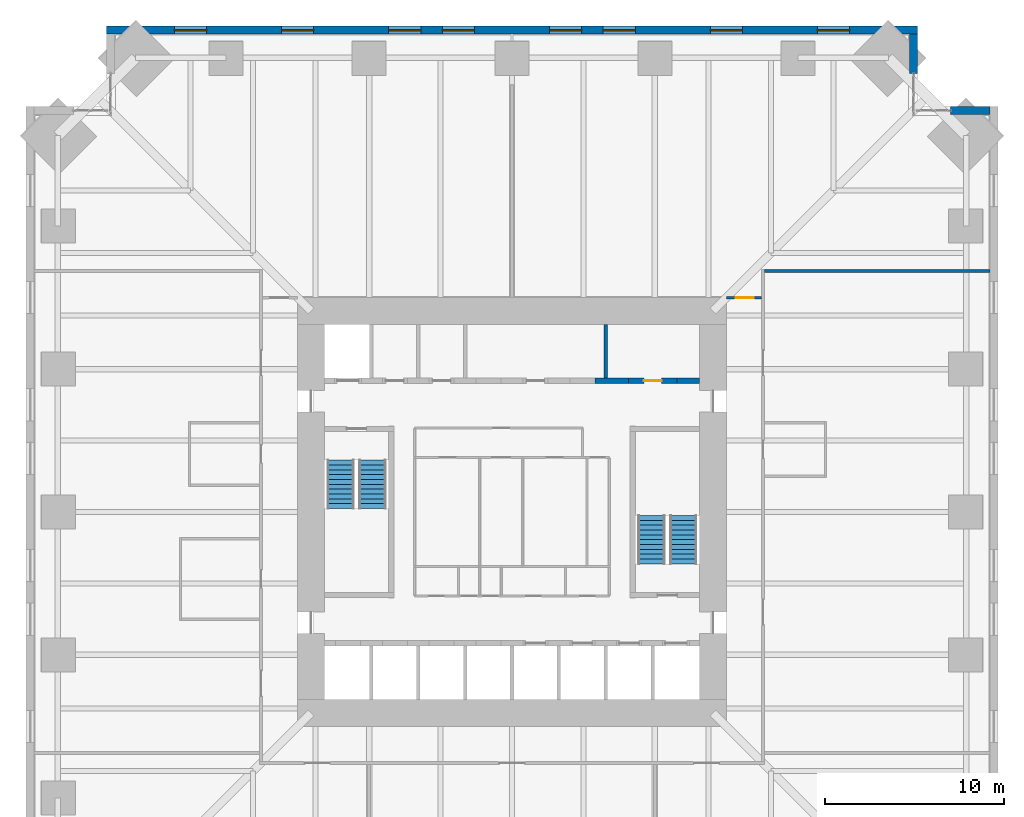
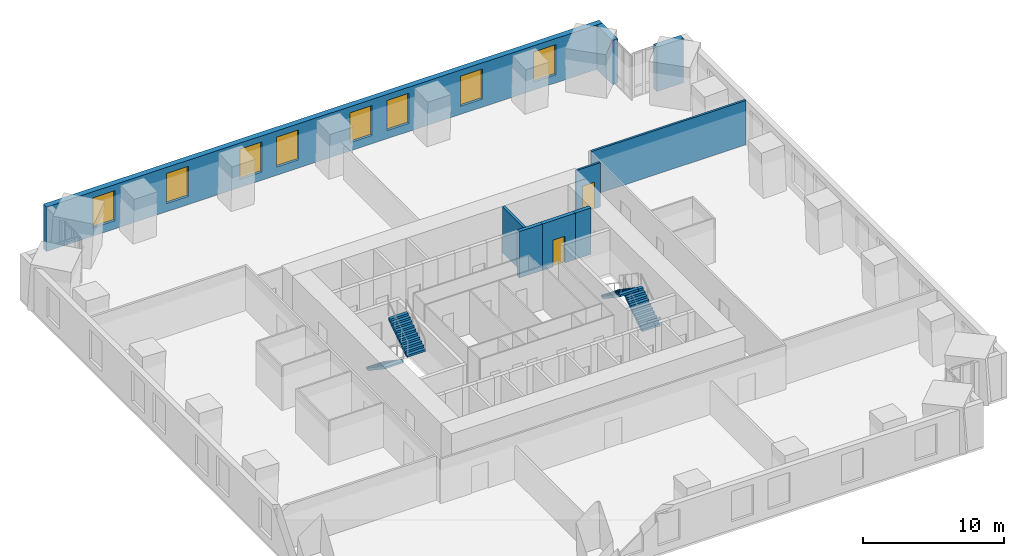
# One storey, part 15 of 16: 9 walls, 8 windows, 4 stair flights, 2 doors, 10 openings, 2 elements without a shape of their own.
"""IFC4 building model written with IfcOpenShell, lengths in metres."""

from ifc_helpers import new_model, si_unit, direction, frame, frame_2d, origin, place, context, subcontext, project, spatial, polyline, rectangle, outline, extrude, material, layer, layer_set, type_object, element, fill, aggregate, save


model = new_model("IFC4")

# Units and contexts
model_context = context("Model", 3, precision=1e-05, world=origin(), true_north=direction((0.0, 1.0)))
body_context = subcontext(model_context, "Body", "Model", "MODEL_VIEW")
ifc_project = project(units=[si_unit("LENGTHUNIT", "METRE"), si_unit("AREAUNIT", "SQUARE_METRE"), si_unit("VOLUMEUNIT", "CUBIC_METRE"), si_unit("PLANEANGLEUNIT", "RADIAN"), si_unit("MASSUNIT", "GRAM", prefix="KILO")], contexts=[model_context])

# Site, building, storey
site_placement = place(None, origin())
site = spatial("IfcSite", under=ifc_project, at=site_placement, CompositionType="ELEMENT")
building_placement = place(site_placement, origin())
building = spatial("IfcBuilding", under=site, at=building_placement, Name="Peilmerk Tower", CompositionType="ELEMENT")
storey_placement = place(building_placement, frame((0.0, 0.0, 135.800048828125)))
storey = spatial("IfcBuildingStorey", under=building, at=storey_placement, Name="L27", CompositionType="ELEMENT", Elevation=135.800048828125)

# Wall, openings, windows
ifc_material_1 = material(Name="Precast concrete C45/55, board-marked finish", Category="concrete")
ifc_layer_1 = layer(ifc_material_1, 0.449951171875)
ifc_layer_set_1 = layer_set([ifc_layer_1], Name="Precast concrete C45/55, board-marked finish")
wall_type_1 = type_object("IfcWallType", Name="EW1 450 precast concrete facade wall, board-marked", PredefinedType="SOLIDWALL", material=ifc_layer_set_1)
wall_1_placement = place(storey_placement, frame((22.699951171875, 26.97509765625, 0.0), z_axis=(0.0, 0.0, 1.0), x_axis=(-1.0, 0.0, 0.0)))
wall_1 = element("IfcWall", 1, at=wall_1_placement, inside=storey, type_object=wall_type_1, Name="Facade wall N L27", PredefinedType="SOLIDWALL", context=body_context, shape_type="SweptSolid", body=[
    extrude(rectangle(XDim=45.39990234375, YDim=0.449951171875, at=frame_2d((22.699951171875, 0.0))), origin(), (0.0, 0.0, 1.0), 3.829833984375),
])
opening_1_placement = place(wall_1_placement, frame((3.800048828125, 0.0, 0.699951171875)))
opening_1 = element("IfcOpeningElement", 2, at=opening_1_placement, cuts=wall_1, Name="Opening W1", PredefinedType="OPENING", context=body_context, shape_type="SweptSolid", body=[
    extrude(rectangle(XDim=1.800048828125, YDim=2.60009765625, at=frame_2d((0.89990234375, 1.300048828125))), frame((0.0, 0.23486328125, 0.0), z_axis=(0.0, -1.0, 0.0), x_axis=(1.0, 0.0, 0.0)), (0.0, 0.0, 1.0), 0.469970703125),
])
opening_2_placement = place(wall_1_placement, frame((9.800048828125, 0.0, 0.699951171875)))
opening_2 = element("IfcOpeningElement", 3, at=opening_2_placement, cuts=wall_1, Name="Opening W1", PredefinedType="OPENING", context=body_context, shape_type="SweptSolid", body=[
    extrude(rectangle(XDim=1.800048828125, YDim=2.60009765625, at=frame_2d((0.89990234375, 1.300048828125))), frame((0.0, 0.23486328125, 0.0), z_axis=(0.0, -1.0, 0.0), x_axis=(1.0, 0.0, 0.0)), (0.0, 0.0, 1.0), 0.469970703125),
])
opening_3_placement = place(wall_1_placement, frame((15.800048828125, 0.0, 0.699951171875)))
opening_3 = element("IfcOpeningElement", 4, at=opening_3_placement, cuts=wall_1, Name="Opening W1", PredefinedType="OPENING", context=body_context, shape_type="SweptSolid", body=[
    extrude(rectangle(XDim=1.800048828125, YDim=2.60009765625, at=frame_2d((0.89990234375, 1.300048828125))), frame((0.0, 0.23486328125, 0.0), z_axis=(0.0, -1.0, 0.0), x_axis=(1.0, 0.0, 0.0)), (0.0, 0.0, 1.0), 0.469970703125),
])
opening_4_placement = place(wall_1_placement, frame((18.800048828125, 0.0, 0.699951171875)))
opening_4 = element("IfcOpeningElement", 5, at=opening_4_placement, cuts=wall_1, Name="Opening W1", PredefinedType="OPENING", context=body_context, shape_type="SweptSolid", body=[
    extrude(rectangle(XDim=1.800048828125, YDim=2.60009765625, at=frame_2d((0.89990234375, 1.300048828125))), frame((0.0, 0.23486328125, 0.0), z_axis=(0.0, -1.0, 0.0), x_axis=(1.0, 0.0, 0.0)), (0.0, 0.0, 1.0), 0.469970703125),
])
opening_5_placement = place(wall_1_placement, frame((24.800048828125, 0.0, 0.699951171875)))
opening_5 = element("IfcOpeningElement", 6, at=opening_5_placement, cuts=wall_1, Name="Opening W1", PredefinedType="OPENING", context=body_context, shape_type="SweptSolid", body=[
    extrude(rectangle(XDim=1.800048828125, YDim=2.60009765625, at=frame_2d((0.89990234375, 1.300048828125))), frame((0.0, 0.23486328125, 0.0), z_axis=(0.0, -1.0, 0.0), x_axis=(1.0, 0.0, 0.0)), (0.0, 0.0, 1.0), 0.469970703125),
])
opening_6_placement = place(wall_1_placement, frame((27.800048828125, 0.0, 0.699951171875)))
opening_6 = element("IfcOpeningElement", 7, at=opening_6_placement, cuts=wall_1, Name="Opening W1", PredefinedType="OPENING", context=body_context, shape_type="SweptSolid", body=[
    extrude(rectangle(XDim=1.800048828125, YDim=2.60009765625, at=frame_2d((0.89990234375, 1.300048828125))), frame((0.0, 0.23486328125, 0.0), z_axis=(0.0, -1.0, 0.0), x_axis=(1.0, 0.0, 0.0)), (0.0, 0.0, 1.0), 0.469970703125),
])
opening_7_placement = place(wall_1_placement, frame((33.800048828125, 0.0, 0.699951171875)))
opening_7 = element("IfcOpeningElement", 8, at=opening_7_placement, cuts=wall_1, Name="Opening W1", PredefinedType="OPENING", context=body_context, shape_type="SweptSolid", body=[
    extrude(rectangle(XDim=1.800048828125, YDim=2.60009765625, at=frame_2d((0.89990234375, 1.300048828125))), frame((0.0, 0.23486328125, 0.0), z_axis=(0.0, -1.0, 0.0), x_axis=(1.0, 0.0, 0.0)), (0.0, 0.0, 1.0), 0.469970703125),
])
opening_8_placement = place(wall_1_placement, frame((39.800048828125, 0.0, 0.699951171875)))
opening_8 = element("IfcOpeningElement", 9, at=opening_8_placement, cuts=wall_1, Name="Opening W1", PredefinedType="OPENING", context=body_context, shape_type="SweptSolid", body=[
    extrude(rectangle(XDim=1.800048828125, YDim=2.60009765625, at=frame_2d((0.89990234375, 1.300048828125))), frame((0.0, 0.23486328125, 0.0), z_axis=(0.0, -1.0, 0.0), x_axis=(1.0, 0.0, 0.0)), (0.0, 0.0, 1.0), 0.469970703125),
])
ifc_material_2 = material(Name="Aluminium frame, clear double glazing", Category="aluminium")
window_type = type_object("IfcWindowType", Name="W1 1800x2600 office window", PartitioningType="SINGLE_PANEL", PredefinedType="WINDOW", material=ifc_material_2)
window_1_placement = place(opening_1_placement, origin())
window_1 = element("IfcWindow", 10, at=window_1_placement, inside=storey, type_object=window_type, Name="Window W1 L27", OverallHeight=2.60009765625, OverallWidth=1.800048828125, PartitioningType="SINGLE_PANEL", PredefinedType="WINDOW", context=body_context, shape_type="SweptSolid", body=[
    extrude(rectangle(XDim=1.800048828125, YDim=2.60009765625, at=frame_2d((0.89990234375, 1.300048828125))), frame((0.0, 0.030029296875, 0.0), z_axis=(0.0, -1.0, 0.0), x_axis=(1.0, 0.0, 0.0)), (0.0, 0.0, 1.0), 0.06005859375),
])
fill(opening_1, window_1)
window_2_placement = place(opening_2_placement, origin())
window_2 = element("IfcWindow", 11, at=window_2_placement, inside=storey, type_object=window_type, Name="Window W1 L27", OverallHeight=2.60009765625, OverallWidth=1.800048828125, PartitioningType="SINGLE_PANEL", PredefinedType="WINDOW", context=body_context, shape_type="SweptSolid", body=[
    extrude(rectangle(XDim=1.800048828125, YDim=2.60009765625, at=frame_2d((0.89990234375, 1.300048828125))), frame((0.0, 0.030029296875, 0.0), z_axis=(0.0, -1.0, 0.0), x_axis=(1.0, 0.0, 0.0)), (0.0, 0.0, 1.0), 0.06005859375),
])
fill(opening_2, window_2)
window_3_placement = place(opening_3_placement, origin())
window_3 = element("IfcWindow", 12, at=window_3_placement, inside=storey, type_object=window_type, Name="Window W1 L27", OverallHeight=2.60009765625, OverallWidth=1.800048828125, PartitioningType="SINGLE_PANEL", PredefinedType="WINDOW", context=body_context, shape_type="SweptSolid", body=[
    extrude(rectangle(XDim=1.800048828125, YDim=2.60009765625, at=frame_2d((0.89990234375, 1.300048828125))), frame((0.0, 0.030029296875, 0.0), z_axis=(0.0, -1.0, 0.0), x_axis=(1.0, 0.0, 0.0)), (0.0, 0.0, 1.0), 0.06005859375),
])
fill(opening_3, window_3)
window_4_placement = place(opening_4_placement, origin())
window_4 = element("IfcWindow", 13, at=window_4_placement, inside=storey, type_object=window_type, Name="Window W1 L27", OverallHeight=2.60009765625, OverallWidth=1.800048828125, PartitioningType="SINGLE_PANEL", PredefinedType="WINDOW", context=body_context, shape_type="SweptSolid", body=[
    extrude(rectangle(XDim=1.800048828125, YDim=2.60009765625, at=frame_2d((0.89990234375, 1.300048828125))), frame((0.0, 0.030029296875, 0.0), z_axis=(0.0, -1.0, 0.0), x_axis=(1.0, 0.0, 0.0)), (0.0, 0.0, 1.0), 0.06005859375),
])
fill(opening_4, window_4)
window_5_placement = place(opening_5_placement, origin())
window_5 = element("IfcWindow", 14, at=window_5_placement, inside=storey, type_object=window_type, Name="Window W1 L27", OverallHeight=2.60009765625, OverallWidth=1.800048828125, PartitioningType="SINGLE_PANEL", PredefinedType="WINDOW", context=body_context, shape_type="SweptSolid", body=[
    extrude(rectangle(XDim=1.800048828125, YDim=2.60009765625, at=frame_2d((0.89990234375, 1.300048828125))), frame((0.0, 0.030029296875, 0.0), z_axis=(0.0, -1.0, 0.0), x_axis=(1.0, 0.0, 0.0)), (0.0, 0.0, 1.0), 0.06005859375),
])
fill(opening_5, window_5)
window_6_placement = place(opening_6_placement, origin())
window_6 = element("IfcWindow", 15, at=window_6_placement, inside=storey, type_object=window_type, Name="Window W1 L27", OverallHeight=2.60009765625, OverallWidth=1.800048828125, PartitioningType="SINGLE_PANEL", PredefinedType="WINDOW", context=body_context, shape_type="SweptSolid", body=[
    extrude(rectangle(XDim=1.800048828125, YDim=2.60009765625, at=frame_2d((0.89990234375, 1.300048828125))), frame((0.0, 0.030029296875, 0.0), z_axis=(0.0, -1.0, 0.0), x_axis=(1.0, 0.0, 0.0)), (0.0, 0.0, 1.0), 0.06005859375),
])
fill(opening_6, window_6)
window_7_placement = place(opening_7_placement, origin())
window_7 = element("IfcWindow", 16, at=window_7_placement, inside=storey, type_object=window_type, Name="Window W1 L27", OverallHeight=2.60009765625, OverallWidth=1.800048828125, PartitioningType="SINGLE_PANEL", PredefinedType="WINDOW", context=body_context, shape_type="SweptSolid", body=[
    extrude(rectangle(XDim=1.800048828125, YDim=2.60009765625, at=frame_2d((0.89990234375, 1.300048828125))), frame((0.0, 0.030029296875, 0.0), z_axis=(0.0, -1.0, 0.0), x_axis=(1.0, 0.0, 0.0)), (0.0, 0.0, 1.0), 0.06005859375),
])
fill(opening_7, window_7)
window_8_placement = place(opening_8_placement, origin())
window_8 = element("IfcWindow", 17, at=window_8_placement, inside=storey, type_object=window_type, Name="Window W1 L27", OverallHeight=2.60009765625, OverallWidth=1.800048828125, PartitioningType="SINGLE_PANEL", PredefinedType="WINDOW", context=body_context, shape_type="SweptSolid", body=[
    extrude(rectangle(XDim=1.800048828125, YDim=2.60009765625, at=frame_2d((0.89990234375, 1.300048828125))), frame((0.0, 0.030029296875, 0.0), z_axis=(0.0, -1.0, 0.0), x_axis=(1.0, 0.0, 0.0)), (0.0, 0.0, 1.0), 0.06005859375),
])
fill(opening_8, window_8)

# Walls
for number, where, z_axis, x_axis, name in (
    (18, (22.47509765625, 24.5537109375, 0.0), (0.0, 0.0, 1.0), (0.0, 1.0, 0.0), "Facade wall NEA L27"),
    (19, (24.5537109375, 22.47509765625, 0.0), (0.0, 0.0, 1.0), (1.0, 0.0, 0.0), "Facade wall NEB L27"),
):
    element("IfcWall", number, at=place(storey_placement, frame(where, z_axis=z_axis, x_axis=x_axis)), inside=storey, type_object=wall_type_1, Name=name, PredefinedType="SOLIDWALL", context=body_context, shape_type="SweptSolid", body=[
        extrude(rectangle(XDim=2.1962890625, YDim=0.449951171875, at=frame_2d((1.09814453125, 0.0))), origin(), (0.0, 0.0, 1.0), 3.829833984375),
    ])

# Wall, opening, door
ifc_material_3 = material(Name="Calcium silicate block", Category="masonry")
ifc_layer_2 = layer(ifc_material_3, 0.14990234375)
ifc_layer_set_2 = layer_set([ifc_layer_2], Name="Calcium silicate block")
wall_type_2 = type_object("IfcWallType", Name="IW1 150 corridor partition, EI 60", PredefinedType="PARTITIONING", material=ifc_layer_set_2)
wall_2_placement = place(storey_placement, frame((12.0, 12.0, 0.0), z_axis=(0.0, 0.0, 1.0), x_axis=(1.0, 0.0, 0.0)))
wall_2 = element("IfcWall", 20, at=wall_2_placement, inside=storey, type_object=wall_type_2, Name="Corridor wall NE L27", PredefinedType="PARTITIONING", context=body_context, shape_type="SweptSolid", body=[
    extrude(rectangle(XDim=1.97509765625, YDim=0.14990234375, at=frame_2d((0.987548828125, 0.0))), origin(), (0.0, 0.0, 1.0), 3.829833984375),
])
opening_9_placement = place(wall_2_placement, frame((0.52490234375, 0.0, 0.0)))
opening_9 = element("IfcOpeningElement", 21, at=opening_9_placement, cuts=wall_2, Name="Opening D1", PredefinedType="OPENING", context=body_context, shape_type="SweptSolid", body=[
    extrude(rectangle(XDim=1.0, YDim=2.300048828125, at=frame_2d((0.5, 1.14990234375))), frame((0.0, 0.0849609375, 0.0), z_axis=(0.0, -1.0, 0.0), x_axis=(1.0, 0.0, 0.0)), (0.0, 0.0, 1.0), 0.169921875),
])
ifc_material_4 = material(Name="Timber door in steel frame", Category="steel")
door_type_1 = type_object("IfcDoorType", Name="D1 1000x2300 room door, EI2 30", OperationType="SINGLE_SWING_LEFT", PredefinedType="DOOR", material=ifc_material_4)
door_1_placement = place(opening_9_placement, origin())
door_1 = element("IfcDoor", 22, at=door_1_placement, inside=storey, type_object=door_type_1, Name="Door Tenant suite L27", OperationType="SINGLE_SWING_LEFT", OverallHeight=2.300048828125, OverallWidth=1.0, PredefinedType="DOOR", context=body_context, shape_type="SweptSolid", body=[
    extrude(rectangle(XDim=1.0, YDim=2.300048828125, at=frame_2d((0.5, 1.14990234375))), frame((0.0, 0.02490234375, 0.0), z_axis=(0.0, -1.0, 0.0), x_axis=(1.0, 0.0, 0.0)), (0.0, 0.0, 1.0), 0.050048828125),
])
fill(opening_9, door_1)

# Walls
ifc_layer_3 = layer(ifc_material_3, 0.175048828125)
ifc_layer_set_3 = layer_set([ifc_layer_3], Name="Calcium silicate block")
wall_type_3 = type_object("IfcWallType", Name="IW8 175 tenant separating wall, EI 60", PredefinedType="PARTITIONING", material=ifc_layer_set_3)
wall_3_placement = place(storey_placement, frame((14.125, 13.5, 0.0), z_axis=(0.0, 0.0, 1.0), x_axis=(1.0, 0.0, 0.0)))
element("IfcWall", 23, at=wall_3_placement, inside=storey, type_object=wall_type_3, Name="Tenant separating wall NE L27", PredefinedType="PARTITIONING", context=body_context, shape_type="SweptSolid", body=[
    extrude(rectangle(XDim=12.625, YDim=0.175048828125, at=frame_2d((6.3125, 0.0))), origin(), (0.0, 0.0, 1.0), 3.829833984375),
])
ifc_layer_4 = layer(ifc_material_3, 0.199951171875)
ifc_layer_set_4 = layer_set([ifc_layer_4], Name="Calcium silicate block")
wall_type_4 = type_object("IfcWallType", Name="SH1 200 shaft dividing wall, EI 120", PredefinedType="PARTITIONING", material=ifc_layer_set_4)
wall_4_placement = place(storey_placement, frame((5.25, 7.5, 0.0), z_axis=(0.0, 0.0, 1.0), x_axis=(0.0, 1.0, 0.0)))
element("IfcWall", 24, at=wall_4_placement, inside=storey, type_object=wall_type_4, Name="Shaft wall N S2 L27", PredefinedType="PARTITIONING", context=body_context, shape_type="SweptSolid", body=[
    extrude(rectangle(XDim=3.0, YDim=0.199951171875, at=frame_2d((1.5, 0.0))), origin(), (0.0, 0.0, 1.0), 4.0),
])

# Wall, opening, door
ifc_layer_5 = layer(ifc_material_3, 0.300048828125)
ifc_layer_set_5 = layer_set([ifc_layer_5], Name="Calcium silicate block")
wall_type_5 = type_object("IfcWallType", Name="SH2 300 lift landing door panel, EI 120", PredefinedType="PARTITIONING", material=ifc_layer_set_5)
wall_5_placement = place(storey_placement, frame((6.52490234375, 7.35009765625, 0.0), z_axis=(0.0, 0.0, 1.0), x_axis=(1.0, 0.0, 0.0)))
wall_5 = element("IfcWall", 25, at=wall_5_placement, inside=storey, type_object=wall_type_5, Name="Lift door panel N GL1 L27", PredefinedType="PARTITIONING", context=body_context, shape_type="SweptSolid", body=[
    extrude(rectangle(XDim=2.7001953125, YDim=0.300048828125, at=frame_2d((1.35009765625, 0.0))), origin(), (0.0, 0.0, 1.0), 4.0),
])
opening_10_placement = place(wall_5_placement, frame((0.85009765625, 0.0, 0.0)))
opening_10 = element("IfcOpeningElement", 26, at=opening_10_placement, cuts=wall_5, Name="Opening D10", PredefinedType="OPENING", context=body_context, shape_type="SweptSolid", body=[
    extrude(rectangle(XDim=1.0, YDim=2.300048828125, at=frame_2d((0.5, 1.14990234375))), frame((0.0, 0.159912109375, 0.0), z_axis=(0.0, -1.0, 0.0), x_axis=(1.0, 0.0, 0.0)), (0.0, 0.0, 1.0), 0.320068359375),
])
ifc_material_5 = material(Name="Steel door in steel frame", Category="steel")
door_type_2 = type_object("IfcDoorType", Name="D10 1000x2300 core room door, EI2 60", OperationType="SINGLE_SWING_RIGHT", PredefinedType="DOOR", material=ifc_material_5)
door_2_placement = place(opening_10_placement, origin())
door_2 = element("IfcDoor", 27, at=door_2_placement, inside=storey, type_object=door_type_2, Name="Door IT room L27", OperationType="SINGLE_SWING_RIGHT", OverallHeight=2.300048828125, OverallWidth=1.0, PredefinedType="DOOR", context=body_context, shape_type="SweptSolid", body=[
    extrude(rectangle(XDim=1.0, YDim=2.300048828125, at=frame_2d((0.5, 1.14990234375))), frame((0.0, 0.02490234375, 0.0), z_axis=(0.0, -1.0, 0.0), x_axis=(1.0, 0.0, 0.0)), (0.0, 0.0, 1.0), 0.050048828125),
])
fill(opening_10, door_2)

# Walls
ifc_material_6 = material(Name="Concrete C55/67", Category="concrete")
ifc_layer_6 = layer(ifc_material_6, 0.300048828125)
ifc_layer_set_6 = layer_set([ifc_layer_6], Name="Concrete C55/67")
wall_type_6 = type_object("IfcWallType", Name="SW2 300 lift bank pier", PredefinedType="SHEAR", material=ifc_layer_set_6)
wall_6_placement = place(storey_placement, frame((4.637451171875, 7.35009765625, 0.0), z_axis=(0.0, 0.0, 1.0), x_axis=(1.0, 0.0, 0.0)))
element("IfcWall", 28, at=wall_6_placement, inside=storey, type_object=wall_type_6, Name="Lift bank pier N L27", PredefinedType="SHEAR", context=body_context, shape_type="SweptSolid", body=[
    extrude(rectangle(XDim=1.887451171875, YDim=0.300048828125, at=frame_2d((0.94384765625, 0.0))), origin(), (0.0, 0.0, 1.0), 4.0),
])
wall_7_placement = place(storey_placement, frame((9.22509765625, 7.35009765625, 0.0), z_axis=(0.0, 0.0, 1.0), x_axis=(1.0, 0.0, 0.0)))
element("IfcWall", 29, at=wall_7_placement, inside=storey, type_object=wall_type_6, Name="Lift bank pier N L27", PredefinedType="SHEAR", context=body_context, shape_type="SweptSolid", body=[
    extrude(rectangle(XDim=1.27490234375, YDim=0.300048828125, at=frame_2d((0.637451171875, 0.0))), origin(), (0.0, 0.0, 1.0), 4.0),
])

# Stair, stair flights
ifc_material_7 = material(Name="Precast concrete C45/55", Category="concrete")
stair_type_1 = type_object("IfcStairType", Name="ST1 22 risers of 181.8", PredefinedType="HALF_TURN_STAIR", material=ifc_material_7)
stair_1_placement = place(storey_placement, origin())
stair_1 = element("IfcStair", 30, at=stair_1_placement, inside=storey, type_object=stair_type_1, Name="Stair 1 L27 to L28", PredefinedType="HALF_TURN_STAIR")
stair_flight_type = type_object("IfcStairFlightType", Name="SF11 flight, 11 risers of 181.8", PredefinedType="STRAIGHT", material=ifc_material_7)
stair_flight_1_placement = place(storey_placement, frame((-9.60009765625, 2.89990234375, 0.0), z_axis=(0.0, 0.0, 1.0), x_axis=(0.0, -1.0, 0.0)))
stair_flight_1 = element("IfcStairFlight", 31, at=stair_flight_1_placement, type_object=stair_flight_type, Name="ST1 flight 1", NumberOfRisers=11, NumberOfTreads=10, PredefinedType="STRAIGHT", RiserHeight=0.181818182, TreadLength=0.27, context=body_context, shape_type="SweptSolid", body=[
    extrude(outline(polyline([(0.0, 0.0), (0.0, 0.181884765625), (0.27001953125, 0.181884765625), (0.27001953125, 0.363525390625), (0.5400390625, 0.363525390625), (0.5400390625, 0.54541015625), (0.81005859375, 0.54541015625), (0.81005859375, 0.727294921875), (1.080078125, 0.727294921875), (1.080078125, 0.9091796875), (1.35009765625, 0.9091796875), (1.35009765625, 1.0908203125), (1.6201171875, 1.0908203125), (1.6201171875, 1.272705078125), (1.889892578125, 1.272705078125), (1.889892578125, 1.45458984375), (2.159912109375, 1.45458984375), (2.159912109375, 1.636474609375), (2.429931640625, 1.636474609375), (2.429931640625, 1.818115234375), (2.699951171875, 1.818115234375), (2.699951171875, 2.0), (2.699951171875, 1.637451171875), (0.268310546875, 0.0), (0.0, 0.0)])), frame((0.0, 0.75, 0.0), z_axis=(0.0, -1.0, 0.0), x_axis=(1.0, 0.0, 0.0)), (0.0, 0.0, 1.0), 1.5),
])
stair_flight_2_placement = place(storey_placement, frame((-7.800048828125, 0.199951171875, 2.0), z_axis=(0.0, 0.0, 1.0), x_axis=(0.0, 1.0, 0.0)))
stair_flight_2 = element("IfcStairFlight", 32, at=stair_flight_2_placement, type_object=stair_flight_type, Name="ST1 flight 2", NumberOfRisers=11, NumberOfTreads=10, PredefinedType="STRAIGHT", RiserHeight=0.181818182, TreadLength=0.27, context=body_context, shape_type="SweptSolid", body=[
    extrude(outline(polyline([(0.0, 0.0), (0.0, 0.181884765625), (0.27001953125, 0.181884765625), (0.27001953125, 0.363525390625), (0.5400390625, 0.363525390625), (0.5400390625, 0.54541015625), (0.81005859375, 0.54541015625), (0.81005859375, 0.727294921875), (1.080078125, 0.727294921875), (1.080078125, 0.9091796875), (1.35009765625, 0.9091796875), (1.35009765625, 1.0908203125), (1.6201171875, 1.0908203125), (1.6201171875, 1.272705078125), (1.889892578125, 1.272705078125), (1.889892578125, 1.45458984375), (2.159912109375, 1.45458984375), (2.159912109375, 1.636474609375), (2.429931640625, 1.636474609375), (2.429931640625, 1.818115234375), (2.699951171875, 1.818115234375), (2.699951171875, 2.0), (2.699951171875, 1.637451171875), (0.268310546875, 0.0), (0.0, 0.0)])), frame((0.0, 0.75, 0.0), z_axis=(0.0, -1.0, 0.0), x_axis=(1.0, 0.0, 0.0)), (0.0, 0.0, 1.0), 1.5),
])
aggregate(stair_1, [stair_flight_1, stair_flight_2])

stair_type_2 = type_object("IfcStairType", Name="ST2 22 risers of 181.8", PredefinedType="HALF_TURN_STAIR", material=ifc_material_7)
stair_2_placement = place(storey_placement, origin())
stair_2 = element("IfcStair", 33, at=stair_2_placement, inside=storey, type_object=stair_type_2, Name="Stair 2 L27 to L28", PredefinedType="HALF_TURN_STAIR")
stair_flight_3_placement = place(storey_placement, frame((9.60009765625, -2.89990234375, 0.0), z_axis=(0.0, 0.0, 1.0), x_axis=(0.0, 1.0, 0.0)))
stair_flight_3 = element("IfcStairFlight", 34, at=stair_flight_3_placement, type_object=stair_flight_type, Name="ST2 flight 1", NumberOfRisers=11, NumberOfTreads=10, PredefinedType="STRAIGHT", RiserHeight=0.181818182, TreadLength=0.27, context=body_context, shape_type="SweptSolid", body=[
    extrude(outline(polyline([(0.0, 0.0), (0.0, 0.181884765625), (0.27001953125, 0.181884765625), (0.27001953125, 0.363525390625), (0.5400390625, 0.363525390625), (0.5400390625, 0.54541015625), (0.81005859375, 0.54541015625), (0.81005859375, 0.727294921875), (1.080078125, 0.727294921875), (1.080078125, 0.9091796875), (1.35009765625, 0.9091796875), (1.35009765625, 1.0908203125), (1.6201171875, 1.0908203125), (1.6201171875, 1.272705078125), (1.889892578125, 1.272705078125), (1.889892578125, 1.45458984375), (2.159912109375, 1.45458984375), (2.159912109375, 1.636474609375), (2.429931640625, 1.636474609375), (2.429931640625, 1.818115234375), (2.699951171875, 1.818115234375), (2.699951171875, 2.0), (2.699951171875, 1.637451171875), (0.268310546875, 0.0), (0.0, 0.0)])), frame((0.0, 0.75, 0.0), z_axis=(0.0, -1.0, 0.0), x_axis=(1.0, 0.0, 0.0)), (0.0, 0.0, 1.0), 1.5),
])
stair_flight_4_placement = place(storey_placement, frame((7.800048828125, -0.199951171875, 2.0), z_axis=(0.0, 0.0, 1.0), x_axis=(0.0, -1.0, 0.0)))
stair_flight_4 = element("IfcStairFlight", 35, at=stair_flight_4_placement, type_object=stair_flight_type, Name="ST2 flight 2", NumberOfRisers=11, NumberOfTreads=10, PredefinedType="STRAIGHT", RiserHeight=0.181818182, TreadLength=0.27, context=body_context, shape_type="SweptSolid", body=[
    extrude(outline(polyline([(0.0, 0.0), (0.0, 0.181884765625), (0.27001953125, 0.181884765625), (0.27001953125, 0.363525390625), (0.5400390625, 0.363525390625), (0.5400390625, 0.54541015625), (0.81005859375, 0.54541015625), (0.81005859375, 0.727294921875), (1.080078125, 0.727294921875), (1.080078125, 0.9091796875), (1.35009765625, 0.9091796875), (1.35009765625, 1.0908203125), (1.6201171875, 1.0908203125), (1.6201171875, 1.272705078125), (1.889892578125, 1.272705078125), (1.889892578125, 1.45458984375), (2.159912109375, 1.45458984375), (2.159912109375, 1.636474609375), (2.429931640625, 1.636474609375), (2.429931640625, 1.818115234375), (2.699951171875, 1.818115234375), (2.699951171875, 2.0), (2.699951171875, 1.637451171875), (0.268310546875, 0.0), (0.0, 0.0)])), frame((0.0, 0.75, 0.0), z_axis=(0.0, -1.0, 0.0), x_axis=(1.0, 0.0, 0.0)), (0.0, 0.0, 1.0), 1.5),
])
aggregate(stair_2, [stair_flight_3, stair_flight_4])

save(model, "model.ifc")
